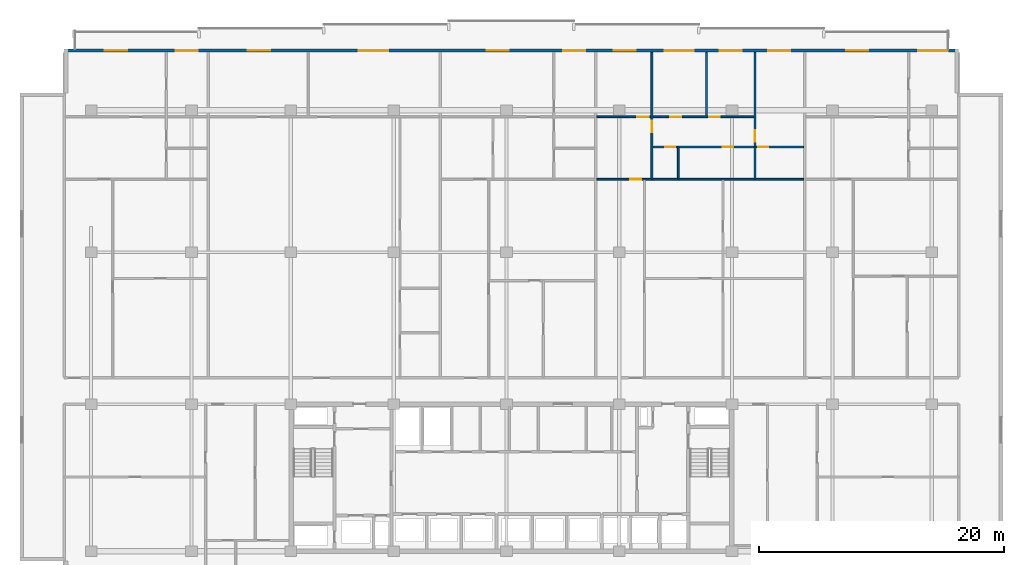
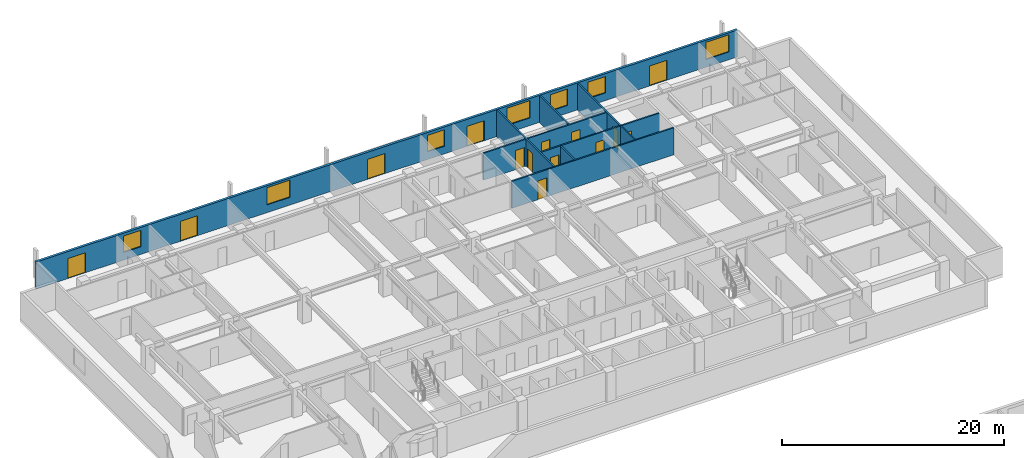
# One storey, part 15 of 22: 14 doors, 9 walls, 7 windows, 21 openings.
"""IFC4 building model written with IfcOpenShell, lengths in metres."""

from ifc_helpers import new_model, si_unit, direction, frame, frame_2d, origin, place, context, subcontext, project, spatial, rectangle, extrude, material, layer, layer_set, type_object, element, fill, save


model = new_model("IFC4")

# Units and contexts
model_context = context("Model", 3, precision=1e-05, world=origin(), true_north=direction((0.0, 1.0)))
body_context = subcontext(model_context, "Body", "Model", "MODEL_VIEW")
ifc_project = project(units=[si_unit("LENGTHUNIT", "METRE"), si_unit("AREAUNIT", "SQUARE_METRE"), si_unit("VOLUMEUNIT", "CUBIC_METRE"), si_unit("PLANEANGLEUNIT", "RADIAN"), si_unit("MASSUNIT", "GRAM", prefix="KILO")], contexts=[model_context])

# Site, building, storey
site_placement = place(None, origin())
site = spatial("IfcSite", under=ifc_project, at=site_placement, CompositionType="ELEMENT")
building_placement = place(site_placement, origin())
building = spatial("IfcBuilding", under=site, at=building_placement, Name="Korimba Cascade Residences", CompositionType="ELEMENT")
storey_placement = place(building_placement, frame((0.0, 0.0, 80.800048828125)))
storey = spatial("IfcBuildingStorey", under=building, at=storey_placement, Name="L22", CompositionType="ELEMENT", Elevation=80.800048828125)

# Wall, openings, doors, windows
ifc_material_1 = material(Name="Precast concrete C40/50", Category="concrete")
ifc_layer_1 = layer(ifc_material_1, 0.25)
ifc_layer_set_1 = layer_set([ifc_layer_1], Name="Precast concrete C40/50")
wall_type_1 = type_object("IfcWallType", Name="EW-LOG-250", PredefinedType="STANDARD", material=ifc_layer_set_1)
wall_1_placement = place(storey_placement, frame((130.60009765625, 96.050048828125, 0.0), z_axis=(0.0, 0.0, 1.0), x_axis=(-1.0, 0.0, 0.0)))
wall_1 = element("IfcWall", 1, at=wall_1_placement, inside=storey, type_object=wall_type_1, Name="L22 T1 Perimeter Stone Wall E06", PredefinedType="STANDARD", context=body_context, shape_type="SweptSolid", body=[
    extrude(rectangle(XDim=73.0, YDim=0.25, at=frame_2d((36.5, 0.0))), origin(), (0.0, 0.0, 1.0), 2.969970703125),
])
opening_1_placement = place(wall_1_placement, frame((67.86669921875, 0.0, 0.0)))
opening_1 = element("IfcOpeningElement", 2, at=opening_1_placement, cuts=wall_1, Name="Opening D-LG1", PredefinedType="OPENING", context=body_context, shape_type="SweptSolid", body=[
    extrude(rectangle(XDim=1.800048828125, YDim=2.199951171875, at=frame_2d((0.89990234375, 1.10009765625))), frame((0.0, 0.135009765625, 0.0), z_axis=(0.0, -1.0, 0.0), x_axis=(1.0, 0.0, 0.0)), (0.0, 0.0, 1.0), 0.27001953125),
])
opening_2_placement = place(wall_1_placement, frame((62.103271484375, 0.0, 0.85009765625)))
opening_2 = element("IfcOpeningElement", 3, at=opening_2_placement, cuts=wall_1, Name="Opening W-02", PredefinedType="OPENING", context=body_context, shape_type="SweptSolid", body=[
    extrude(rectangle(XDim=1.800048828125, YDim=1.800048828125, at=frame_2d((0.89990234375, 0.89990234375))), frame((0.0, 0.135009765625, 0.0), z_axis=(0.0, -1.0, 0.0), x_axis=(1.0, 0.0, 0.0)), (0.0, 0.0, 1.0), 0.27001953125),
])
opening_3_placement = place(wall_1_placement, frame((56.1962890625, 0.0, 0.0)))
opening_3 = element("IfcOpeningElement", 4, at=opening_3_placement, cuts=wall_1, Name="Opening D-LG1", PredefinedType="OPENING", context=body_context, shape_type="SweptSolid", body=[
    extrude(rectangle(XDim=1.800048828125, YDim=2.199951171875, at=frame_2d((0.89990234375, 1.10009765625))), frame((0.0, 0.135009765625, 0.0), z_axis=(0.0, -1.0, 0.0), x_axis=(1.0, 0.0, 0.0)), (0.0, 0.0, 1.0), 0.27001953125),
])
opening_4_placement = place(wall_1_placement, frame((46.557373046875, 0.0, 0.85009765625)))
opening_4 = element("IfcOpeningElement", 5, at=opening_4_placement, cuts=wall_1, Name="Opening W-01", PredefinedType="OPENING", context=body_context, shape_type="SweptSolid", body=[
    extrude(rectangle(XDim=2.39990234375, YDim=1.89990234375, at=frame_2d((1.199951171875, 0.949951171875))), frame((0.0, 0.135009765625, 0.0), z_axis=(0.0, -1.0, 0.0), x_axis=(1.0, 0.0, 0.0)), (0.0, 0.0, 1.0), 0.27001953125),
])
opening_5_placement = place(wall_1_placement, frame((36.714111328125, 0.0, 0.0)))
opening_5 = element("IfcOpeningElement", 6, at=opening_5_placement, cuts=wall_1, Name="Opening D-LG1", PredefinedType="OPENING", context=body_context, shape_type="SweptSolid", body=[
    extrude(rectangle(XDim=1.800048828125, YDim=2.199951171875, at=frame_2d((0.89990234375, 1.10009765625))), frame((0.0, 0.135009765625, 0.0), z_axis=(0.0, -1.0, 0.0), x_axis=(1.0, 0.0, 0.0)), (0.0, 0.0, 1.0), 0.27001953125),
])
opening_6_placement = place(wall_1_placement, frame((30.48291015625, 0.0, 0.85009765625)))
opening_6 = element("IfcOpeningElement", 7, at=opening_6_placement, cuts=wall_1, Name="Opening W-02", PredefinedType="OPENING", context=body_context, shape_type="SweptSolid", body=[
    extrude(rectangle(XDim=1.800048828125, YDim=1.800048828125, at=frame_2d((0.89990234375, 0.89990234375))), frame((0.0, 0.135009765625, 0.0), z_axis=(0.0, -1.0, 0.0), x_axis=(1.0, 0.0, 0.0)), (0.0, 0.0, 1.0), 0.27001953125),
])
opening_7_placement = place(wall_1_placement, frame((21.6044921875, 0.0, 0.85009765625)))
opening_7 = element("IfcOpeningElement", 8, at=opening_7_placement, cuts=wall_1, Name="Opening W-01", PredefinedType="OPENING", context=body_context, shape_type="SweptSolid", body=[
    extrude(rectangle(XDim=2.39990234375, YDim=1.89990234375, at=frame_2d((1.199951171875, 0.949951171875))), frame((0.0, 0.135009765625, 0.0), z_axis=(0.0, -1.0, 0.0), x_axis=(1.0, 0.0, 0.0)), (0.0, 0.0, 1.0), 0.27001953125),
])
opening_8_placement = place(wall_1_placement, frame((17.6982421875, 0.0, 0.85009765625)))
opening_8 = element("IfcOpeningElement", 9, at=opening_8_placement, cuts=wall_1, Name="Opening W-02", PredefinedType="OPENING", context=body_context, shape_type="SweptSolid", body=[
    extrude(rectangle(XDim=1.800048828125, YDim=1.800048828125, at=frame_2d((0.89990234375, 0.89990234375))), frame((0.0, 0.135009765625, 0.0), z_axis=(0.0, -1.0, 0.0), x_axis=(1.0, 0.0, 0.0)), (0.0, 0.0, 1.0), 0.27001953125),
])
opening_9_placement = place(wall_1_placement, frame((26.36279296875, 0.0, 0.0)))
opening_9 = element("IfcOpeningElement", 10, at=opening_9_placement, cuts=wall_1, Name="Opening D-LG1", PredefinedType="OPENING", context=body_context, shape_type="SweptSolid", body=[
    extrude(rectangle(XDim=1.800048828125, YDim=2.199951171875, at=frame_2d((0.89990234375, 1.10009765625))), frame((0.0, 0.135009765625, 0.0), z_axis=(0.0, -1.0, 0.0), x_axis=(1.0, 0.0, 0.0)), (0.0, 0.0, 1.0), 0.27001953125),
])
opening_10_placement = place(wall_1_placement, frame((13.75341796875, 0.0, 0.85009765625)))
opening_10 = element("IfcOpeningElement", 11, at=opening_10_placement, cuts=wall_1, Name="Opening W-02", PredefinedType="OPENING", context=body_context, shape_type="SweptSolid", body=[
    extrude(rectangle(XDim=1.800048828125, YDim=1.800048828125, at=frame_2d((0.89990234375, 0.89990234375))), frame((0.0, 0.135009765625, 0.0), z_axis=(0.0, -1.0, 0.0), x_axis=(1.0, 0.0, 0.0)), (0.0, 0.0, 1.0), 0.27001953125),
])
opening_11_placement = place(wall_1_placement, frame((7.36328125, 0.0, 0.0)))
opening_11 = element("IfcOpeningElement", 12, at=opening_11_placement, cuts=wall_1, Name="Opening D-LG1", PredefinedType="OPENING", context=body_context, shape_type="SweptSolid", body=[
    extrude(rectangle(XDim=1.800048828125, YDim=2.199951171875, at=frame_2d((0.89990234375, 1.10009765625))), frame((0.0, 0.135009765625, 0.0), z_axis=(0.0, -1.0, 0.0), x_axis=(1.0, 0.0, 0.0)), (0.0, 0.0, 1.0), 0.27001953125),
])
opening_12_placement = place(wall_1_placement, frame((0.89990234375, 0.0, 0.85009765625)))
opening_12 = element("IfcOpeningElement", 13, at=opening_12_placement, cuts=wall_1, Name="Opening W-01", PredefinedType="OPENING", context=body_context, shape_type="SweptSolid", body=[
    extrude(rectangle(XDim=2.39990234375, YDim=1.89990234375, at=frame_2d((1.199951171875, 0.949951171875))), frame((0.0, 0.135009765625, 0.0), z_axis=(0.0, -1.0, 0.0), x_axis=(1.0, 0.0, 0.0)), (0.0, 0.0, 1.0), 0.27001953125),
])
ifc_material_2 = material(Name="Glazed Aluminium Loggia Sliding Door", Category="aluminium")
door_type_1 = type_object("IfcDoorType", Name="DR-EXT-LOG", OperationType="NOTDEFINED", PredefinedType="DOOR", material=ifc_material_2)
door_1_placement = place(opening_1_placement, origin())
door_1 = element("IfcDoor", 14, at=door_1_placement, inside=storey, type_object=door_type_1, Name="L22 T1 Loggia Sliding Door 3", OperationType="SLIDING_TO_LEFT", OverallHeight=2.199951171875, OverallWidth=1.800048828125, PredefinedType="DOOR", context=body_context, shape_type="SweptSolid", body=[
    extrude(rectangle(XDim=1.800048828125, YDim=2.199951171875, at=frame_2d((0.89990234375, 1.10009765625))), frame((0.0, 0.02490234375, 0.0), z_axis=(0.0, -1.0, 0.0), x_axis=(1.0, 0.0, 0.0)), (0.0, 0.0, 1.0), 0.050048828125),
])
fill(opening_1, door_1)
door_2_placement = place(opening_3_placement, origin())
door_2 = element("IfcDoor", 15, at=door_2_placement, inside=storey, type_object=door_type_1, Name="L22 T1 Loggia Sliding Door 5", OperationType="SLIDING_TO_LEFT", OverallHeight=2.199951171875, OverallWidth=1.800048828125, PredefinedType="DOOR", context=body_context, shape_type="SweptSolid", body=[
    extrude(rectangle(XDim=1.800048828125, YDim=2.199951171875, at=frame_2d((0.89990234375, 1.10009765625))), frame((0.0, 0.02490234375, 0.0), z_axis=(0.0, -1.0, 0.0), x_axis=(1.0, 0.0, 0.0)), (0.0, 0.0, 1.0), 0.050048828125),
])
fill(opening_3, door_2)
door_3_placement = place(opening_5_placement, origin())
door_3 = element("IfcDoor", 16, at=door_3_placement, inside=storey, type_object=door_type_1, Name="L22 T1 Loggia Sliding Door 7", OperationType="SLIDING_TO_LEFT", OverallHeight=2.199951171875, OverallWidth=1.800048828125, PredefinedType="DOOR", context=body_context, shape_type="SweptSolid", body=[
    extrude(rectangle(XDim=1.800048828125, YDim=2.199951171875, at=frame_2d((0.89990234375, 1.10009765625))), frame((0.0, 0.02490234375, 0.0), z_axis=(0.0, -1.0, 0.0), x_axis=(1.0, 0.0, 0.0)), (0.0, 0.0, 1.0), 0.050048828125),
])
fill(opening_5, door_3)
door_4_placement = place(opening_9_placement, origin())
door_4 = element("IfcDoor", 17, at=door_4_placement, inside=storey, type_object=door_type_1, Name="L22 T1 Loggia Sliding Door 11", OperationType="SLIDING_TO_LEFT", OverallHeight=2.199951171875, OverallWidth=1.800048828125, PredefinedType="DOOR", context=body_context, shape_type="SweptSolid", body=[
    extrude(rectangle(XDim=1.800048828125, YDim=2.199951171875, at=frame_2d((0.89990234375, 1.10009765625))), frame((0.0, 0.02490234375, 0.0), z_axis=(0.0, -1.0, 0.0), x_axis=(1.0, 0.0, 0.0)), (0.0, 0.0, 1.0), 0.050048828125),
])
fill(opening_9, door_4)
door_5_placement = place(opening_11_placement, origin())
door_5 = element("IfcDoor", 18, at=door_5_placement, inside=storey, type_object=door_type_1, Name="L22 T1 Loggia Sliding Door 13", OperationType="SLIDING_TO_LEFT", OverallHeight=2.199951171875, OverallWidth=1.800048828125, PredefinedType="DOOR", context=body_context, shape_type="SweptSolid", body=[
    extrude(rectangle(XDim=1.800048828125, YDim=2.199951171875, at=frame_2d((0.89990234375, 1.10009765625))), frame((0.0, 0.02490234375, 0.0), z_axis=(0.0, -1.0, 0.0), x_axis=(1.0, 0.0, 0.0)), (0.0, 0.0, 1.0), 0.050048828125),
])
fill(opening_11, door_5)
ifc_material_3 = material(Name="Double-Glazed Aluminium Window", Category="aluminium")
window_type_1 = type_object("IfcWindowType", Name="WIN-BED-1800", PartitioningType="SINGLE_PANEL", PredefinedType="WINDOW", material=ifc_material_3)
window_1_placement = place(opening_2_placement, origin())
window_1 = element("IfcWindow", 19, at=window_1_placement, inside=storey, type_object=window_type_1, Name="L22 T1 North Facade Window 4", OverallHeight=1.800048828125, OverallWidth=1.800048828125, PartitioningType="SINGLE_PANEL", PredefinedType="WINDOW", context=body_context, shape_type="SweptSolid", body=[
    extrude(rectangle(XDim=1.800048828125, YDim=1.800048828125, at=frame_2d((0.89990234375, 0.89990234375))), frame((0.0, 0.030029296875, 0.0), z_axis=(0.0, -1.0, 0.0), x_axis=(1.0, 0.0, 0.0)), (0.0, 0.0, 1.0), 0.06005859375),
])
fill(opening_2, window_1)
window_2_placement = place(opening_6_placement, origin())
window_2 = element("IfcWindow", 20, at=window_2_placement, inside=storey, type_object=window_type_1, Name="L22 T1 North Facade Window 8", OverallHeight=1.800048828125, OverallWidth=1.800048828125, PartitioningType="SINGLE_PANEL", PredefinedType="WINDOW", context=body_context, shape_type="SweptSolid", body=[
    extrude(rectangle(XDim=1.800048828125, YDim=1.800048828125, at=frame_2d((0.89990234375, 0.89990234375))), frame((0.0, 0.030029296875, 0.0), z_axis=(0.0, -1.0, 0.0), x_axis=(1.0, 0.0, 0.0)), (0.0, 0.0, 1.0), 0.06005859375),
])
fill(opening_6, window_2)
window_3_placement = place(opening_8_placement, origin())
window_3 = element("IfcWindow", 21, at=window_3_placement, inside=storey, type_object=window_type_1, Name="L22 T1 North Facade Window 10", OverallHeight=1.800048828125, OverallWidth=1.800048828125, PartitioningType="SINGLE_PANEL", PredefinedType="WINDOW", context=body_context, shape_type="SweptSolid", body=[
    extrude(rectangle(XDim=1.800048828125, YDim=1.800048828125, at=frame_2d((0.89990234375, 0.89990234375))), frame((0.0, 0.030029296875, 0.0), z_axis=(0.0, -1.0, 0.0), x_axis=(1.0, 0.0, 0.0)), (0.0, 0.0, 1.0), 0.06005859375),
])
fill(opening_8, window_3)
window_4_placement = place(opening_10_placement, origin())
window_4 = element("IfcWindow", 22, at=window_4_placement, inside=storey, type_object=window_type_1, Name="L22 T1 North Facade Window 12", OverallHeight=1.800048828125, OverallWidth=1.800048828125, PartitioningType="SINGLE_PANEL", PredefinedType="WINDOW", context=body_context, shape_type="SweptSolid", body=[
    extrude(rectangle(XDim=1.800048828125, YDim=1.800048828125, at=frame_2d((0.89990234375, 0.89990234375))), frame((0.0, 0.030029296875, 0.0), z_axis=(0.0, -1.0, 0.0), x_axis=(1.0, 0.0, 0.0)), (0.0, 0.0, 1.0), 0.06005859375),
])
fill(opening_10, window_4)
window_type_2 = type_object("IfcWindowType", Name="WIN-RES-2400", PartitioningType="DOUBLE_PANEL_VERTICAL", PredefinedType="WINDOW", material=ifc_material_3)
window_5_placement = place(opening_4_placement, origin())
window_5 = element("IfcWindow", 23, at=window_5_placement, inside=storey, type_object=window_type_2, Name="L22 T1 North Facade Window 6", OverallHeight=1.89990234375, OverallWidth=2.39990234375, PartitioningType="DOUBLE_PANEL_VERTICAL", PredefinedType="WINDOW", context=body_context, shape_type="SweptSolid", body=[
    extrude(rectangle(XDim=2.39990234375, YDim=1.89990234375, at=frame_2d((1.199951171875, 0.949951171875))), frame((0.0, 0.030029296875, 0.0), z_axis=(0.0, -1.0, 0.0), x_axis=(1.0, 0.0, 0.0)), (0.0, 0.0, 1.0), 0.06005859375),
])
fill(opening_4, window_5)
window_6_placement = place(opening_7_placement, origin())
window_6 = element("IfcWindow", 24, at=window_6_placement, inside=storey, type_object=window_type_2, Name="L22 T1 North Facade Window 9", OverallHeight=1.89990234375, OverallWidth=2.39990234375, PartitioningType="DOUBLE_PANEL_VERTICAL", PredefinedType="WINDOW", context=body_context, shape_type="SweptSolid", body=[
    extrude(rectangle(XDim=2.39990234375, YDim=1.89990234375, at=frame_2d((1.199951171875, 0.949951171875))), frame((0.0, 0.030029296875, 0.0), z_axis=(0.0, -1.0, 0.0), x_axis=(1.0, 0.0, 0.0)), (0.0, 0.0, 1.0), 0.06005859375),
])
fill(opening_7, window_6)
window_7_placement = place(opening_12_placement, origin())
window_7 = element("IfcWindow", 25, at=window_7_placement, inside=storey, type_object=window_type_2, Name="L22 T1 North Facade Window 14", OverallHeight=1.89990234375, OverallWidth=2.39990234375, PartitioningType="DOUBLE_PANEL_VERTICAL", PredefinedType="WINDOW", context=body_context, shape_type="SweptSolid", body=[
    extrude(rectangle(XDim=2.39990234375, YDim=1.89990234375, at=frame_2d((1.199951171875, 0.949951171875))), frame((0.0, 0.030029296875, 0.0), z_axis=(0.0, -1.0, 0.0), x_axis=(1.0, 0.0, 0.0)), (0.0, 0.0, 1.0), 0.06005859375),
])
fill(opening_12, window_7)

# Walls
ifc_material_4 = material(Name="Insulated Acoustic Stud Partition", Category="gypsum")
ifc_layer_2 = layer(ifc_material_4, 0.14990234375)
ifc_layer_set_2 = layer_set([ifc_layer_2], Name="Insulated Acoustic Stud Partition")
wall_type_2 = type_object("IfcWallType", Name="WAL-PART-150", PredefinedType="PARTITIONING", material=ifc_layer_set_2)
wall_2_placement = place(storey_placement, frame((107.71728515625, 85.590087890625, 0.0), z_axis=(0.0, 0.0, 1.0), x_axis=(0.0, 1.0, 0.0)))
element("IfcWall", 26, at=wall_2_placement, inside=storey, type_object=wall_type_2, Name="L22 Partition Wall WAL-L22-T1-U04-VDRS", PredefinedType="PARTITIONING", context=body_context, shape_type="SweptSolid", body=[
    extrude(rectangle(XDim=2.579833984375, YDim=0.14990234375, at=frame_2d((1.2900390625, 0.0))), origin(), (0.0, 0.0, 1.0), 2.969970703125),
])
wall_3_placement = place(storey_placement, frame((110.023681640625, 90.72998046875, 0.0), z_axis=(0.0, 0.0, 1.0), x_axis=(0.0, 1.0, 0.0)))
element("IfcWall", 27, at=wall_3_placement, inside=storey, type_object=wall_type_2, Name="L22 Partition Wall WAL-L22-T1-U04-VSTD", PredefinedType="PARTITIONING", context=body_context, shape_type="SweptSolid", body=[
    extrude(rectangle(XDim=5.169921875, YDim=0.14990234375, at=frame_2d((2.5849609375, 0.0))), origin(), (0.0, 0.0, 1.0), 2.969970703125),
])

# Wall, opening, door
wall_4_placement = place(storey_placement, frame((105.567138671875, 85.590087890625, 0.0), z_axis=(0.0, 0.0, 1.0), x_axis=(0.0, 1.0, 0.0)))
wall_4 = element("IfcWall", 28, at=wall_4_placement, inside=storey, type_object=wall_type_2, Name="L22 Partition Wall WAL-L22-T1-U04-V1", PredefinedType="PARTITIONING", context=body_context, shape_type="SweptSolid", body=[
    extrude(rectangle(XDim=10.309814453125, YDim=0.14990234375, at=frame_2d((5.15478515625, 0.0))), origin(), (0.0, 0.0, 1.0), 2.969970703125),
])
opening_13_placement = place(wall_4_placement, frame((3.820068359375, 0.0, 0.0)))
opening_13 = element("IfcOpeningElement", 29, at=opening_13_placement, cuts=wall_4, Name="Opening D-IN1", PredefinedType="OPENING", context=body_context, shape_type="SweptSolid", body=[
    extrude(rectangle(XDim=0.919921875, YDim=2.080078125, at=frame_2d((0.4599609375, 1.0400390625))), frame((0.0, 0.0849609375, 0.0), z_axis=(0.0, -1.0, 0.0), x_axis=(1.0, 0.0, 0.0)), (0.0, 0.0, 1.0), 0.169921875),
])
ifc_material_5 = material(Name="Acoustic Timber Living Door", Category="wood")
door_type_2 = type_object("IfcDoorType", Name="DR-INT-920", OperationType="NOTDEFINED", PredefinedType="DOOR", material=ifc_material_5)
door_6_placement = place(opening_13_placement, origin())
door_6 = element("IfcDoor", 30, at=door_6_placement, inside=storey, type_object=door_type_2, Name="L22-T1-U04 Hallway Door", OperationType="SINGLE_SWING_RIGHT", OverallHeight=2.080078125, OverallWidth=0.919921875, PredefinedType="DOOR", context=body_context, shape_type="SweptSolid", body=[
    extrude(rectangle(XDim=0.919921875, YDim=2.080078125, at=frame_2d((0.4599609375, 1.0400390625))), frame((0.0, 0.02490234375, 0.0), z_axis=(0.0, -1.0, 0.0), x_axis=(1.0, 0.0, 0.0)), (0.0, 0.0, 1.0), 0.050048828125),
])
fill(opening_13, door_6)

# Wall
wall_5_placement = place(storey_placement, frame((113.97998046875, 85.590087890625, 0.0), z_axis=(0.0, 0.0, 1.0), x_axis=(0.0, 1.0, 0.0)))
element("IfcWall", 31, at=wall_5_placement, inside=storey, type_object=wall_type_2, Name="L22 Partition Wall WAL-L22-T1-U04-VBATH", PredefinedType="PARTITIONING", context=body_context, shape_type="SweptSolid", body=[
    extrude(rectangle(XDim=2.579833984375, YDim=0.14990234375, at=frame_2d((1.2900390625, 0.0))), origin(), (0.0, 0.0, 1.0), 2.969970703125),
])

# Wall, opening, door
wall_6_placement = place(storey_placement, frame((113.97998046875, 88.2099609375, 0.0), z_axis=(0.0, 0.0, 1.0), x_axis=(0.0, 1.0, 0.0)))
wall_6 = element("IfcWall", 32, at=wall_6_placement, inside=storey, type_object=wall_type_2, Name="L22 Partition Wall WAL-L22-T1-U04-V2FULL", PredefinedType="PARTITIONING", context=body_context, shape_type="SweptSolid", body=[
    extrude(rectangle(XDim=7.68994140625, YDim=0.14990234375, at=frame_2d((3.844970703125, 0.0))), origin(), (0.0, 0.0, 1.0), 2.969970703125),
])
opening_14_placement = place(wall_6_placement, frame((0.410400390625, 0.0, 0.0)))
opening_14 = element("IfcOpeningElement", 33, at=opening_14_placement, cuts=wall_6, Name="Opening D-IN1", PredefinedType="OPENING", context=body_context, shape_type="SweptSolid", body=[
    extrude(rectangle(XDim=0.919921875, YDim=2.080078125, at=frame_2d((0.4599609375, 1.0400390625))), frame((0.0, 0.0849609375, 0.0), z_axis=(0.0, -1.0, 0.0), x_axis=(1.0, 0.0, 0.0)), (0.0, 0.0, 1.0), 0.169921875),
])
door_7_placement = place(opening_14_placement, origin())
door_7 = element("IfcDoor", 34, at=door_7_placement, inside=storey, type_object=door_type_2, Name="L22-T1-U04 Master Bedroom Door", OperationType="SINGLE_SWING_LEFT", OverallHeight=2.080078125, OverallWidth=0.919921875, PredefinedType="DOOR", context=body_context, shape_type="SweptSolid", body=[
    extrude(rectangle(XDim=0.919921875, YDim=2.080078125, at=frame_2d((0.4599609375, 1.0400390625))), frame((0.0, 0.02490234375, 0.0), z_axis=(0.0, -1.0, 0.0), x_axis=(1.0, 0.0, 0.0)), (0.0, 0.0, 1.0), 0.050048828125),
])
fill(opening_14, door_7)

# Wall, openings, doors
wall_7_placement = place(storey_placement, frame((105.607177734375, 88.18994140625, 0.0), z_axis=(0.0, 0.0, 1.0), x_axis=(1.0, 0.0, 0.0)))
wall_7 = element("IfcWall", 35, at=wall_7_placement, inside=storey, type_object=wall_type_2, Name="L22 Partition Wall WAL-L22-T1-U04-HWALL", PredefinedType="PARTITIONING", context=body_context, shape_type="SweptSolid", body=[
    extrude(rectangle(XDim=12.34619140625, YDim=0.14990234375, at=frame_2d((6.173095703125, 0.0))), origin(), (0.0, 0.0, 1.0), 2.969970703125),
])
opening_15_placement = place(wall_7_placement, frame((1.033935546875, 0.0, 0.0)))
opening_15 = element("IfcOpeningElement", 36, at=opening_15_placement, cuts=wall_7, Name="Opening D-BT1", PredefinedType="OPENING", context=body_context, shape_type="SweptSolid", body=[
    extrude(rectangle(XDim=0.840087890625, YDim=2.0400390625, at=frame_2d((0.419921875, 1.02001953125))), frame((0.0, 0.0849609375, 0.0), z_axis=(0.0, -1.0, 0.0), x_axis=(1.0, 0.0, 0.0)), (0.0, 0.0, 1.0), 0.169921875),
])
opening_16_placement = place(wall_7_placement, frame((5.753173828125, 0.0, 0.0)))
opening_16 = element("IfcOpeningElement", 37, at=opening_16_placement, cuts=wall_7, Name="Opening D-BT1", PredefinedType="OPENING", context=body_context, shape_type="SweptSolid", body=[
    extrude(rectangle(XDim=0.840087890625, YDim=2.0400390625, at=frame_2d((0.419921875, 1.02001953125))), frame((0.0, 0.0849609375, 0.0), z_axis=(0.0, -1.0, 0.0), x_axis=(1.0, 0.0, 0.0)), (0.0, 0.0, 1.0), 0.169921875),
])
opening_17_placement = place(wall_7_placement, frame((8.622802734375, 0.0, 0.0)))
opening_17 = element("IfcOpeningElement", 38, at=opening_17_placement, cuts=wall_7, Name="Opening D-BT1", PredefinedType="OPENING", context=body_context, shape_type="SweptSolid", body=[
    extrude(rectangle(XDim=0.840087890625, YDim=2.0400390625, at=frame_2d((0.419921875, 1.02001953125))), frame((0.0, 0.0849609375, 0.0), z_axis=(0.0, -1.0, 0.0), x_axis=(1.0, 0.0, 0.0)), (0.0, 0.0, 1.0), 0.169921875),
])
ifc_material_6 = material(Name="Moisture-Resistant Bathroom Timber Door", Category="wood")
door_type_3 = type_object("IfcDoorType", Name="DR-INT-850", OperationType="NOTDEFINED", PredefinedType="DOOR", material=ifc_material_6)
door_8_placement = place(opening_15_placement, origin())
door_8 = element("IfcDoor", 39, at=door_8_placement, inside=storey, type_object=door_type_3, Name="L22-T1-U04 Family Bathroom Door", OperationType="SINGLE_SWING_RIGHT", OverallHeight=2.0400390625, OverallWidth=0.840087890625, PredefinedType="DOOR", context=body_context, shape_type="SweptSolid", body=[
    extrude(rectangle(XDim=0.840087890625, YDim=2.0400390625, at=frame_2d((0.419921875, 1.02001953125))), frame((0.0, 0.02490234375, 0.0), z_axis=(0.0, -1.0, 0.0), x_axis=(1.0, 0.0, 0.0)), (0.0, 0.0, 1.0), 0.050048828125),
])
fill(opening_15, door_8)
door_9_placement = place(opening_16_placement, origin())
door_9 = element("IfcDoor", 40, at=door_9_placement, inside=storey, type_object=door_type_3, Name="L22-T1-U04 Dressing Room Door", OperationType="SINGLE_SWING_LEFT", OverallHeight=2.0400390625, OverallWidth=0.840087890625, PredefinedType="DOOR", context=body_context, shape_type="SweptSolid", body=[
    extrude(rectangle(XDim=0.840087890625, YDim=2.0400390625, at=frame_2d((0.419921875, 1.02001953125))), frame((0.0, 0.02490234375, 0.0), z_axis=(0.0, -1.0, 0.0), x_axis=(1.0, 0.0, 0.0)), (0.0, 0.0, 1.0), 0.050048828125),
])
fill(opening_16, door_9)
door_10_placement = place(opening_17_placement, origin())
door_10 = element("IfcDoor", 41, at=door_10_placement, inside=storey, type_object=door_type_3, Name="L22-T1-U04 En-Suite Door", OperationType="SINGLE_SWING_RIGHT", OverallHeight=2.0400390625, OverallWidth=0.840087890625, PredefinedType="DOOR", context=body_context, shape_type="SweptSolid", body=[
    extrude(rectangle(XDim=0.840087890625, YDim=2.0400390625, at=frame_2d((0.419921875, 1.02001953125))), frame((0.0, 0.02490234375, 0.0), z_axis=(0.0, -1.0, 0.0), x_axis=(1.0, 0.0, 0.0)), (0.0, 0.0, 1.0), 0.050048828125),
])
fill(opening_17, door_10)

# Wall, opening, door
wall_8_placement = place(storey_placement, frame((101.067138671875, 85.550048828125, 0.0), z_axis=(0.0, 0.0, 1.0), x_axis=(1.0, 0.0, 0.0)))
wall_8 = element("IfcWall", 42, at=wall_8_placement, inside=storey, type_object=wall_type_2, Name="L22 Partition Wall WAL-L22-T1-U04-MW", PredefinedType="PARTITIONING", context=body_context, shape_type="SweptSolid", body=[
    extrude(rectangle(XDim=16.88623046875, YDim=0.14990234375, at=frame_2d((8.443115234375, 0.0))), origin(), (0.0, 0.0, 1.0), 2.969970703125),
])
opening_18_placement = place(wall_8_placement, frame((2.719970703125, 0.0, 0.0)))
opening_18 = element("IfcOpeningElement", 43, at=opening_18_placement, cuts=wall_8, Name="Opening D-IN1", PredefinedType="OPENING", context=body_context, shape_type="SweptSolid", body=[
    extrude(rectangle(XDim=0.919921875, YDim=2.080078125, at=frame_2d((0.4599609375, 1.0400390625))), frame((0.0, 0.0849609375, 0.0), z_axis=(0.0, -1.0, 0.0), x_axis=(1.0, 0.0, 0.0)), (0.0, 0.0, 1.0), 0.169921875),
])
door_11_placement = place(opening_18_placement, origin())
door_11 = element("IfcDoor", 44, at=door_11_placement, inside=storey, type_object=door_type_2, Name="L22-T1-U04 Kitchen Door", OperationType="SINGLE_SWING_LEFT", OverallHeight=2.080078125, OverallWidth=0.919921875, PredefinedType="DOOR", context=body_context, shape_type="SweptSolid", body=[
    extrude(rectangle(XDim=0.919921875, YDim=2.080078125, at=frame_2d((0.4599609375, 1.0400390625))), frame((0.0, 0.02490234375, 0.0), z_axis=(0.0, -1.0, 0.0), x_axis=(1.0, 0.0, 0.0)), (0.0, 0.0, 1.0), 0.050048828125),
])
fill(opening_18, door_11)

# Wall, openings, doors
wall_9_placement = place(storey_placement, frame((101.067138671875, 90.64990234375, 0.0), z_axis=(0.0, 0.0, 1.0), x_axis=(1.0, 0.0, 0.0)))
wall_9 = element("IfcWall", 45, at=wall_9_placement, inside=storey, type_object=wall_type_2, Name="L22 Partition Wall WAL-L22-T1-U04-HZ", PredefinedType="PARTITIONING", context=body_context, shape_type="SweptSolid", body=[
    extrude(rectangle(XDim=12.912841796875, YDim=0.14990234375, at=frame_2d((6.45654296875, 0.0))), origin(), (0.0, 0.0, 1.0), 2.969970703125),
])
opening_19_placement = place(wall_9_placement, frame((3.31005859375, 0.0, 0.0)))
opening_19 = element("IfcOpeningElement", 46, at=opening_19_placement, cuts=wall_9, Name="Opening D-IN0", PredefinedType="OPENING", context=body_context, shape_type="SweptSolid", body=[
    extrude(rectangle(XDim=0.93994140625, YDim=2.10009765625, at=frame_2d((0.469970703125, 1.050048828125))), frame((0.0, 0.0849609375, 0.0), z_axis=(0.0, -1.0, 0.0), x_axis=(1.0, 0.0, 0.0)), (0.0, 0.0, 1.0), 0.169921875),
])
opening_20_placement = place(wall_9_placement, frame((6.016357421875, 0.0, 0.0)))
opening_20 = element("IfcOpeningElement", 47, at=opening_20_placement, cuts=wall_9, Name="Opening D-IN2", PredefinedType="OPENING", context=body_context, shape_type="SweptSolid", body=[
    extrude(rectangle(XDim=0.8798828125, YDim=2.06005859375, at=frame_2d((0.43994140625, 1.030029296875))), frame((0.0, 0.0849609375, 0.0), z_axis=(0.0, -1.0, 0.0), x_axis=(1.0, 0.0, 0.0)), (0.0, 0.0, 1.0), 0.169921875),
])
opening_21_placement = place(wall_9_placement, frame((9.176513671875, 0.0, 0.0)))
opening_21 = element("IfcOpeningElement", 48, at=opening_21_placement, cuts=wall_9, Name="Opening D-IN2", PredefinedType="OPENING", context=body_context, shape_type="SweptSolid", body=[
    extrude(rectangle(XDim=0.8798828125, YDim=2.06005859375, at=frame_2d((0.43994140625, 1.030029296875))), frame((0.0, 0.0849609375, 0.0), z_axis=(0.0, -1.0, 0.0), x_axis=(1.0, 0.0, 0.0)), (0.0, 0.0, 1.0), 0.169921875),
])
ifc_material_7 = material(Name="Acoustic Timber Bedroom Door", Category="wood")
door_type_4 = type_object("IfcDoorType", Name="DR-INT-880", OperationType="NOTDEFINED", PredefinedType="DOOR", material=ifc_material_7)
door_12_placement = place(opening_20_placement, origin())
door_12 = element("IfcDoor", 49, at=door_12_placement, inside=storey, type_object=door_type_4, Name="L22-T1-U04 Bedroom 2 Door", OperationType="SINGLE_SWING_LEFT", OverallHeight=2.06005859375, OverallWidth=0.8798828125, PredefinedType="DOOR", context=body_context, shape_type="SweptSolid", body=[
    extrude(rectangle(XDim=0.8798828125, YDim=2.06005859375, at=frame_2d((0.43994140625, 1.030029296875))), frame((0.0, 0.02490234375, 0.0), z_axis=(0.0, -1.0, 0.0), x_axis=(1.0, 0.0, 0.0)), (0.0, 0.0, 1.0), 0.050048828125),
])
fill(opening_20, door_12)
door_13_placement = place(opening_21_placement, origin())
door_13 = element("IfcDoor", 50, at=door_13_placement, inside=storey, type_object=door_type_4, Name="L22-T1-U04 Study Door", OperationType="SINGLE_SWING_RIGHT", OverallHeight=2.06005859375, OverallWidth=0.8798828125, PredefinedType="DOOR", context=body_context, shape_type="SweptSolid", body=[
    extrude(rectangle(XDim=0.8798828125, YDim=2.06005859375, at=frame_2d((0.43994140625, 1.030029296875))), frame((0.0, 0.02490234375, 0.0), z_axis=(0.0, -1.0, 0.0), x_axis=(1.0, 0.0, 0.0)), (0.0, 0.0, 1.0), 0.050048828125),
])
fill(opening_21, door_13)
ifc_material_8 = material(Name="Acoustic Timber Living Archway Door", Category="wood")
door_type_5 = type_object("IfcDoorType", Name="DR-INT-950", OperationType="NOTDEFINED", PredefinedType="DOOR", material=ifc_material_8)
door_14_placement = place(opening_19_placement, origin())
door_14 = element("IfcDoor", 51, at=door_14_placement, inside=storey, type_object=door_type_5, Name="L22-T1-U04 Living Room Door", OperationType="SINGLE_SWING_RIGHT", OverallHeight=2.10009765625, OverallWidth=0.93994140625, PredefinedType="DOOR", context=body_context, shape_type="SweptSolid", body=[
    extrude(rectangle(XDim=0.93994140625, YDim=2.10009765625, at=frame_2d((0.469970703125, 1.050048828125))), frame((0.0, 0.02490234375, 0.0), z_axis=(0.0, -1.0, 0.0), x_axis=(1.0, 0.0, 0.0)), (0.0, 0.0, 1.0), 0.050048828125),
])
fill(opening_19, door_14)

save(model, "model.ifc")
